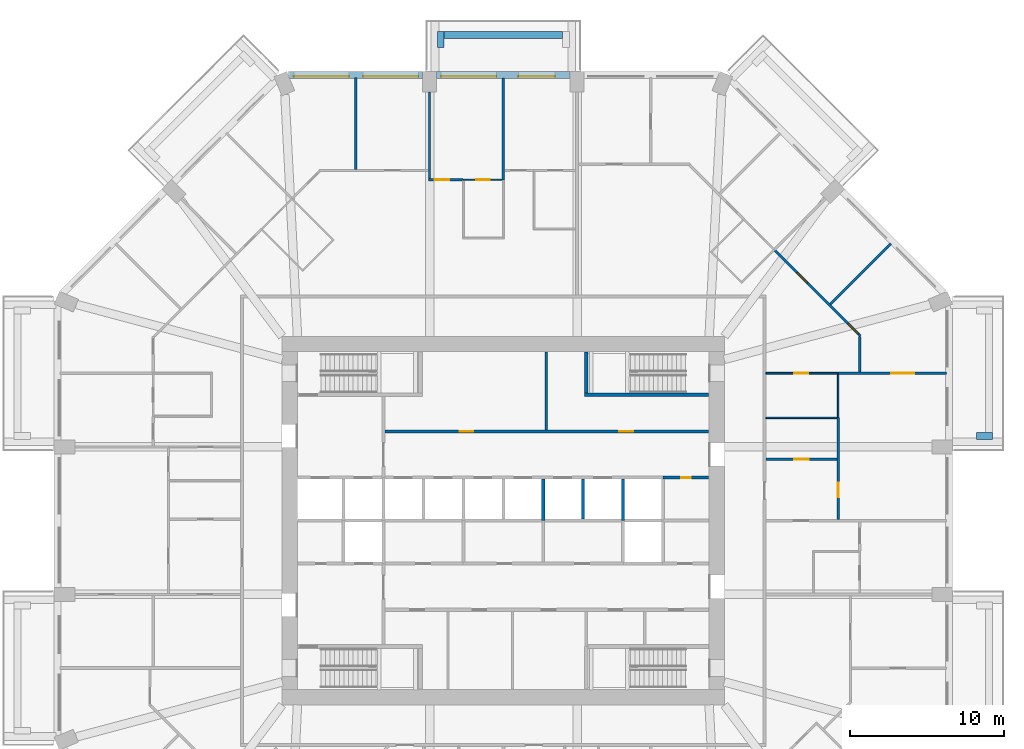
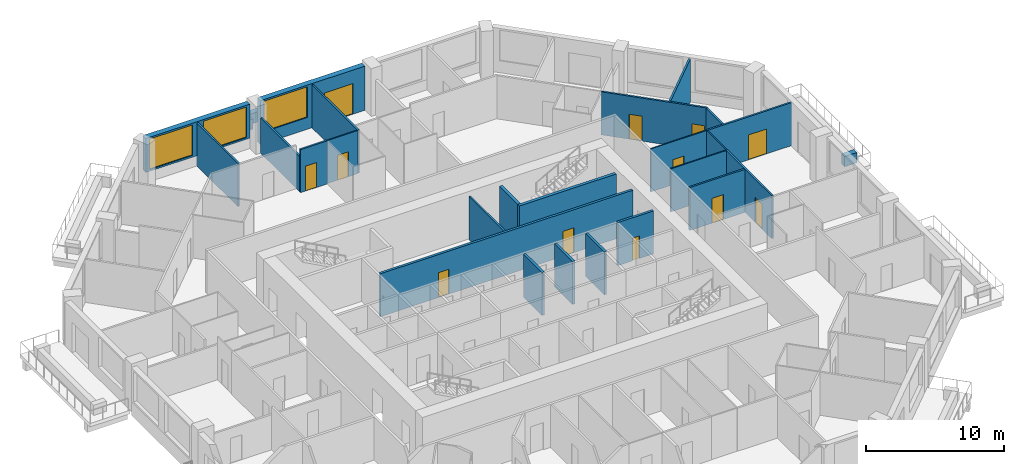
# One storey, part 9 of 13: 27 walls, 12 doors, 3 windows, 15 openings.
"""IFC4 building model written with IfcOpenShell, lengths in metres."""

from ifc_helpers import new_model, si_unit, direction, frame, frame_2d, origin, place, context, subcontext, project, spatial, rectangle, extrude, material, layer, layer_set, type_object, element, fill, save


model = new_model("IFC4")

# Units and contexts
model_context = context("Model", 3, precision=1e-05, world=origin(), true_north=direction((0.0, 1.0)))
body_context = subcontext(model_context, "Body", "Model", "MODEL_VIEW")
ifc_project = project(units=[si_unit("LENGTHUNIT", "METRE"), si_unit("AREAUNIT", "SQUARE_METRE"), si_unit("VOLUMEUNIT", "CUBIC_METRE"), si_unit("PLANEANGLEUNIT", "RADIAN"), si_unit("MASSUNIT", "GRAM", prefix="KILO")], contexts=[model_context])

# Site, building, storey
site_placement = place(None, origin())
site = spatial("IfcSite", under=ifc_project, at=site_placement, CompositionType="ELEMENT")
building_placement = place(site_placement, origin())
building = spatial("IfcBuilding", under=site, at=building_placement, Name="Msitu Wima Residences", CompositionType="ELEMENT")
storey_placement = place(building_placement, frame((0.0, 0.0, 96.89990234375)))
storey = spatial("IfcBuildingStorey", under=building, at=storey_placement, Name="L22", CompositionType="ELEMENT", Elevation=96.89990234375)

# Walls
ifc_material_1 = material(Name="Facing brick")
ifc_layer_1 = layer(ifc_material_1, 0.06494140625, Name="Facing brick")
ifc_material_2 = material(Name="Concrete C40/50", Category="concrete")
ifc_layer_2 = layer(ifc_material_2, 0.156005859375, Name="Concrete C40/50")
ifc_material_3 = material(Name="Waterproofing membrane")
ifc_layer_3 = layer(ifc_material_3, 0.00390625, Name="Waterproofing membrane")
ifc_material_4 = material(Name="Planting soil and planting")
ifc_layer_4 = layer(ifc_material_4, 0.22509765625, Name="Planting soil and planting")
ifc_layer_set_1 = layer_set([ifc_layer_1, ifc_layer_2, ifc_layer_3, ifc_layer_4], Name="Concrete C40/50")
wall_type_1 = type_object("IfcWallType", Name="Balcony planter PLANTER PL450", PredefinedType="USERDEFINED", material=ifc_layer_set_1)
wall_1_placement = place(storey_placement, frame((30.800048828125, 5.52490234375, 0.0), z_axis=(0.0, 0.0, 1.0), x_axis=(1.0, 0.0, 0.0)))
element("IfcWall", 1, at=wall_1_placement, inside=storey, type_object=wall_type_1, Name="Balcony planter E2 L22", ObjectType="PLANTER", PredefinedType="USERDEFINED", context=body_context, shape_type="SweptSolid", body=[
    extrude(rectangle(XDim=1.050048828125, YDim=0.449951171875, at=frame_2d((0.52490234375, 0.0))), origin(), (0.0, 0.0, 1.0), 0.900146484375),
])
wall_2_placement = place(storey_placement, frame((3.85009765625, 31.625, 0.0), z_axis=(0.0, 0.0, 1.0), x_axis=(-1.0, 0.0, 0.0)))
element("IfcWall", 2, at=wall_2_placement, inside=storey, type_object=wall_type_1, Name="Balcony planter N1 L22", ObjectType="PLANTER", PredefinedType="USERDEFINED", context=body_context, shape_type="SweptSolid", body=[
    extrude(rectangle(XDim=7.7001953125, YDim=0.449951171875, at=frame_2d((3.85009765625, 0.0))), origin(), (0.0, 0.0, 1.0), 0.900146484375),
])
wall_3_placement = place(storey_placement, frame((-4.074951171875, 30.800048828125, 0.0), z_axis=(0.0, 0.0, 1.0), x_axis=(0.0, 1.0, 0.0)))
element("IfcWall", 3, at=wall_3_placement, inside=storey, type_object=wall_type_1, Name="Balcony planter N1 L22", ObjectType="PLANTER", PredefinedType="USERDEFINED", context=body_context, shape_type="SweptSolid", body=[
    extrude(rectangle(XDim=1.050048828125, YDim=0.449951171875, at=frame_2d((0.52490234375, 0.0))), origin(), (0.0, 0.0, 1.0), 0.900146484375),
])

# Wall, openings, door, window
ifc_material_5 = material(Name="Brick (red buff mix)", Category="masonry")
ifc_layer_5 = layer(ifc_material_5, 0.449951171875)
ifc_layer_set_2 = layer_set([ifc_layer_5], Name="Brick (red buff mix)")
wall_type_2 = type_object("IfcWallType", Name="Brick infill wall BW450", PredefinedType="SOLIDWALL", material=ifc_layer_set_2)
wall_4_placement = place(storey_placement, frame((4.35009765625, 29.02490234375, 0.0), z_axis=(0.0, 0.0, 1.0), x_axis=(-1.0, 0.0, 0.0)))
wall_4 = element("IfcWall", 4, at=wall_4_placement, inside=storey, type_object=wall_type_2, Name="Brick infill wall L22 N1", PredefinedType="SOLIDWALL", context=body_context, shape_type="SweptSolid", body=[
    extrude(rectangle(XDim=8.7001953125, YDim=0.449951171875, at=frame_2d((4.35009765625, 0.0))), origin(), (0.0, 0.0, 1.0), 3.900146484375),
])
opening_1_placement = place(wall_4_placement, frame((0.97509765625, 0.0, 0.0)))
opening_1 = element("IfcOpeningElement", 5, at=opening_1_placement, cuts=wall_4, Name="Opening D22.003", PredefinedType="OPENING", context=body_context, shape_type="SweptSolid", body=[
    extrude(rectangle(XDim=2.39990234375, YDim=2.699951171875, at=frame_2d((1.199951171875, 1.35009765625))), frame((0.0, 0.23486328125, 0.0), z_axis=(0.0, -1.0, 0.0), x_axis=(1.0, 0.0, 0.0)), (0.0, 0.0, 1.0), 0.469970703125),
])
opening_2_placement = place(wall_4_placement, frame((4.800048828125, 0.0, 1.050048828125)))
opening_2 = element("IfcOpeningElement", 6, at=opening_2_placement, cuts=wall_4, Name="Opening W22.007", PredefinedType="OPENING", context=body_context, shape_type="SweptSolid", body=[
    extrude(rectangle(XDim=3.60009765625, YDim=2.699951171875, at=frame_2d((1.800048828125, 1.35009765625))), frame((0.0, 0.23486328125, 0.0), z_axis=(0.0, -1.0, 0.0), x_axis=(1.0, 0.0, 0.0)), (0.0, 0.0, 1.0), 0.469970703125),
])
ifc_material_6 = material(Name="Anodised aluminium, bronze finish, clear low-emissivity double glazing", Category="aluminium")
door_type_1 = type_object("IfcDoorType", Name="Balcony door D2400x2700", OperationType="SLIDING_TO_LEFT", PredefinedType="DOOR", material=ifc_material_6)
door_1_placement = place(opening_1_placement, origin())
door_1 = element("IfcDoor", 7, at=door_1_placement, inside=storey, type_object=door_type_1, Name="Balcony door L22 N1", OperationType="SINGLE_SWING_LEFT", OverallHeight=2.699951171875, OverallWidth=2.39990234375, PredefinedType="DOOR", context=body_context, shape_type="SweptSolid", body=[
    extrude(rectangle(XDim=2.39990234375, YDim=2.699951171875, at=frame_2d((1.199951171875, 1.35009765625))), frame((0.0, 0.1298828125, 0.0), z_axis=(0.0, -1.0, 0.0), x_axis=(1.0, 0.0, 0.0)), (0.0, 0.0, 1.0), 0.050048828125),
])
fill(opening_1, door_1)
window_type = type_object("IfcWindowType", Name="Window W3600x2700", PartitioningType="DOUBLE_PANEL_VERTICAL", PredefinedType="WINDOW", material=ifc_material_6)
window_1_placement = place(opening_2_placement, origin())
window_1 = element("IfcWindow", 8, at=window_1_placement, inside=storey, type_object=window_type, Name="Window L22 N1.2", OverallHeight=2.699951171875, OverallWidth=3.60009765625, PartitioningType="SINGLE_PANEL", PredefinedType="WINDOW", context=body_context, shape_type="SweptSolid", body=[
    extrude(rectangle(XDim=3.60009765625, YDim=2.699951171875, at=frame_2d((1.800048828125, 1.35009765625))), frame((0.0, 0.135009765625, 0.0), z_axis=(0.0, -1.0, 0.0), x_axis=(1.0, 0.0, 0.0)), (0.0, 0.0, 1.0), 0.06005859375),
])
fill(opening_2, window_1)

# Wall, openings, windows
wall_5_placement = place(storey_placement, frame((-5.25, 29.02490234375, 0.900146484375), z_axis=(0.0, 0.0, 1.0), x_axis=(-1.0, 0.0, 0.0)))
wall_5 = element("IfcWall", 9, at=wall_5_placement, inside=storey, type_object=wall_type_2, Name="Brick infill wall L22 N2", PredefinedType="SOLIDWALL", context=body_context, shape_type="SweptSolid", body=[
    extrude(rectangle(XDim=8.662841796875, YDim=0.449951171875, at=frame_2d((4.33154296875, 0.0))), origin(), (0.0, 0.0, 1.0), 3.0),
])
opening_3_placement = place(wall_5_placement, frame((0.281494140625, 0.0, 0.14990234375)))
opening_3 = element("IfcOpeningElement", 10, at=opening_3_placement, cuts=wall_5, Name="Opening W22.008", PredefinedType="OPENING", context=body_context, shape_type="SweptSolid", body=[
    extrude(rectangle(XDim=3.60009765625, YDim=2.699951171875, at=frame_2d((1.800048828125, 1.35009765625))), frame((0.0, 0.23486328125, 0.0), z_axis=(0.0, -1.0, 0.0), x_axis=(1.0, 0.0, 0.0)), (0.0, 0.0, 1.0), 0.469970703125),
])
opening_4_placement = place(wall_5_placement, frame((4.781494140625, 0.0, 0.14990234375)))
opening_4 = element("IfcOpeningElement", 11, at=opening_4_placement, cuts=wall_5, Name="Opening W22.009", PredefinedType="OPENING", context=body_context, shape_type="SweptSolid", body=[
    extrude(rectangle(XDim=3.60009765625, YDim=2.699951171875, at=frame_2d((1.800048828125, 1.35009765625))), frame((0.0, 0.23486328125, 0.0), z_axis=(0.0, -1.0, 0.0), x_axis=(1.0, 0.0, 0.0)), (0.0, 0.0, 1.0), 0.469970703125),
])
window_2_placement = place(opening_3_placement, origin())
window_2 = element("IfcWindow", 12, at=window_2_placement, inside=storey, type_object=window_type, Name="Window L22 N2.1", OverallHeight=2.699951171875, OverallWidth=3.60009765625, PartitioningType="SINGLE_PANEL", PredefinedType="WINDOW", context=body_context, shape_type="SweptSolid", body=[
    extrude(rectangle(XDim=3.60009765625, YDim=2.699951171875, at=frame_2d((1.800048828125, 1.35009765625))), frame((0.0, 0.135009765625, 0.0), z_axis=(0.0, -1.0, 0.0), x_axis=(1.0, 0.0, 0.0)), (0.0, 0.0, 1.0), 0.06005859375),
])
fill(opening_3, window_2)
window_3_placement = place(opening_4_placement, origin())
window_3 = element("IfcWindow", 13, at=window_3_placement, inside=storey, type_object=window_type, Name="Window L22 N2.2", OverallHeight=2.699951171875, OverallWidth=3.60009765625, PartitioningType="SINGLE_PANEL", PredefinedType="WINDOW", context=body_context, shape_type="SweptSolid", body=[
    extrude(rectangle(XDim=3.60009765625, YDim=2.699951171875, at=frame_2d((1.800048828125, 1.35009765625))), frame((0.0, 0.135009765625, 0.0), z_axis=(0.0, -1.0, 0.0), x_axis=(1.0, 0.0, 0.0)), (0.0, 0.0, 1.0), 0.06005859375),
])
fill(opening_4, window_3)

# Wall, openings, doors
ifc_material_7 = material(Name="Plaster")
ifc_layer_6 = layer(ifc_material_7, 0.011962890625, Name="Plaster")
ifc_material_8 = material(Name="Concrete blockwork", Category="masonry")
ifc_layer_7 = layer(ifc_material_8, 0.176025390625, Name="Concrete blockwork")
ifc_layer_8 = layer(ifc_material_7, 0.011962890625, Name="Plaster")
ifc_layer_set_3 = layer_set([ifc_layer_6, ifc_layer_7, ifc_layer_8], Name="Concrete blockwork")
wall_type_3 = type_object("IfcWallType", Name="Corridor wall FW200", PredefinedType="PARTITIONING", material=ifc_layer_set_3)
wall_6_placement = place(storey_placement, frame((-7.699951171875, 5.800048828125, 0.0), z_axis=(0.0, 0.0, 1.0), x_axis=(1.0, 0.0, 0.0)))
wall_6 = element("IfcWall", 14, at=wall_6_placement, inside=storey, type_object=wall_type_3, Name="Corridor wall", PredefinedType="PARTITIONING", context=body_context, shape_type="SweptSolid", body=[
    extrude(rectangle(XDim=21.070068359375, YDim=0.199951171875, at=frame_2d((10.53515625, 0.0))), origin(), (0.0, 0.0, 1.0), 3.798095703125),
])
opening_5_placement = place(wall_6_placement, frame((4.85009765625, 0.0, 0.0)))
opening_5 = element("IfcOpeningElement", 15, at=opening_5_placement, cuts=wall_6, Name="Opening D22.020", PredefinedType="OPENING", context=body_context, shape_type="SweptSolid", body=[
    extrude(rectangle(XDim=0.89990234375, YDim=2.199951171875, at=frame_2d((0.449951171875, 1.10009765625))), frame((0.0, 0.10986328125, 0.0), z_axis=(0.0, -1.0, 0.0), x_axis=(1.0, 0.0, 0.0)), (0.0, 0.0, 1.0), 0.219970703125),
])
opening_6_placement = place(wall_6_placement, frame((15.25, 0.0, 0.0)))
opening_6 = element("IfcOpeningElement", 16, at=opening_6_placement, cuts=wall_6, Name="Opening D22.021", PredefinedType="OPENING", context=body_context, shape_type="SweptSolid", body=[
    extrude(rectangle(XDim=0.89990234375, YDim=2.199951171875, at=frame_2d((0.449951171875, 1.10009765625))), frame((0.0, 0.10986328125, 0.0), z_axis=(0.0, -1.0, 0.0), x_axis=(1.0, 0.0, 0.0)), (0.0, 0.0, 1.0), 0.219970703125),
])
ifc_material_9 = material(Name="Timber flush door", Category="wood")
door_type_2 = type_object("IfcDoorType", Name="Service door D05 900x2200", OperationType="SINGLE_SWING_LEFT", PredefinedType="DOOR", material=ifc_material_9)
door_2_placement = place(opening_5_placement, origin())
door_2 = element("IfcDoor", 17, at=door_2_placement, inside=storey, type_object=door_type_2, Name="Service door", OperationType="SINGLE_SWING_LEFT", OverallHeight=2.199951171875, OverallWidth=0.89990234375, PredefinedType="DOOR", context=body_context, shape_type="SweptSolid", body=[
    extrude(rectangle(XDim=0.89990234375, YDim=2.199951171875, at=frame_2d((0.449951171875, 1.10009765625))), frame((0.0, 0.02490234375, 0.0), z_axis=(0.0, -1.0, 0.0), x_axis=(1.0, 0.0, 0.0)), (0.0, 0.0, 1.0), 0.050048828125),
])
fill(opening_5, door_2)
door_3_placement = place(opening_6_placement, origin())
door_3 = element("IfcDoor", 18, at=door_3_placement, inside=storey, type_object=door_type_2, Name="Service door", OperationType="SINGLE_SWING_RIGHT", OverallHeight=2.199951171875, OverallWidth=0.89990234375, PredefinedType="DOOR", context=body_context, shape_type="SweptSolid", body=[
    extrude(rectangle(XDim=0.89990234375, YDim=2.199951171875, at=frame_2d((0.449951171875, 1.10009765625))), frame((0.0, 0.02490234375, 0.0), z_axis=(0.0, -1.0, 0.0), x_axis=(1.0, 0.0, 0.0)), (0.0, 0.0, 1.0), 0.050048828125),
])
fill(opening_6, door_3)

# Walls
ifc_layer_9 = layer(ifc_material_7, 0.011962890625, Name="Plaster")
ifc_layer_10 = layer(ifc_material_8, 0.1259765625, Name="Concrete blockwork")
ifc_layer_11 = layer(ifc_material_7, 0.011962890625, Name="Plaster")
ifc_layer_set_4 = layer_set([ifc_layer_9, ifc_layer_10, ifc_layer_11], Name="Concrete blockwork")
wall_type_4 = type_object("IfcWallType", Name="Partition PW150", PredefinedType="PARTITIONING", material=ifc_layer_set_4)
wall_7_placement = place(storey_placement, frame((-9.60009765625, 22.875, 0.0), z_axis=(0.0, 0.0, 1.0), x_axis=(0.0, 1.0, 0.0)))
element("IfcWall", 19, at=wall_7_placement, inside=storey, type_object=wall_type_4, Name="Partition", PredefinedType="PARTITIONING", context=body_context, shape_type="SweptSolid", body=[
    extrude(rectangle(XDim=5.97998046875, YDim=0.14990234375, at=frame_2d((2.989990234375, 0.0))), origin(), (0.0, 0.0, 1.0), 3.798095703125),
])
wall_8_placement = place(storey_placement, frame((-4.800048828125, 22.27490234375, 0.0), z_axis=(0.0, 0.0, 1.0), x_axis=(0.0, 1.0, 0.0)))
element("IfcWall", 20, at=wall_8_placement, inside=storey, type_object=wall_type_4, Name="Partition", PredefinedType="PARTITIONING", context=body_context, shape_type="SweptSolid", body=[
    extrude(rectangle(XDim=5.625, YDim=0.14990234375, at=frame_2d((2.8125, 0.0))), origin(), (0.0, 0.0, 1.0), 3.10009765625),
])

# Wall, opening, door
wall_9_placement = place(storey_placement, frame((-4.875, 22.199951171875, 0.0), z_axis=(0.0, 0.0, 1.0), x_axis=(1.0, 0.0, 0.0)))
wall_9 = element("IfcWall", 21, at=wall_9_placement, inside=storey, type_object=wall_type_4, Name="Partition", PredefinedType="PARTITIONING", context=body_context, shape_type="SweptSolid", body=[
    extrude(rectangle(XDim=2.2548828125, YDim=0.14990234375, at=frame_2d((1.12744140625, 0.0))), origin(), (0.0, 0.0, 1.0), 3.798095703125),
])
opening_7_placement = place(wall_9_placement, frame((0.39990234375, 0.0, 0.0)))
opening_7 = element("IfcOpeningElement", 22, at=opening_7_placement, cuts=wall_9, Name="Opening D22.060", PredefinedType="OPENING", context=body_context, shape_type="SweptSolid", body=[
    extrude(rectangle(XDim=0.949951171875, YDim=2.199951171875, at=frame_2d((0.47509765625, 1.10009765625))), frame((0.0, 0.0849609375, 0.0), z_axis=(0.0, -1.0, 0.0), x_axis=(1.0, 0.0, 0.0)), (0.0, 0.0, 1.0), 0.169921875),
])
door_type_3 = type_object("IfcDoorType", Name="Room door D12 950x2200", OperationType="SINGLE_SWING_LEFT", PredefinedType="DOOR", material=ifc_material_9)
door_4_placement = place(opening_7_placement, origin())
door_4 = element("IfcDoor", 23, at=door_4_placement, inside=storey, type_object=door_type_3, Name="Room door", OperationType="SINGLE_SWING_LEFT", OverallHeight=2.199951171875, OverallWidth=0.949951171875, PredefinedType="DOOR", context=body_context, shape_type="SweptSolid", body=[
    extrude(rectangle(XDim=0.949951171875, YDim=2.199951171875, at=frame_2d((0.47509765625, 1.10009765625))), frame((0.0, 0.02490234375, 0.0), z_axis=(0.0, -1.0, 0.0), x_axis=(1.0, 0.0, 0.0)), (0.0, 0.0, 1.0), 0.050048828125),
])
fill(opening_7, door_4)

# Walls
wall_10_placement = place(storey_placement, frame((0.0, 22.179931640625, 0.0), z_axis=(0.0, 0.0, 1.0), x_axis=(0.0, 1.0, 0.0)))
element("IfcWall", 24, at=wall_10_placement, inside=storey, type_object=wall_type_4, Name="Partition", PredefinedType="PARTITIONING", context=body_context, shape_type="SweptSolid", body=[
    extrude(rectangle(XDim=6.64501953125, YDim=0.14990234375, at=frame_2d((3.322509765625, 0.0))), origin(), (0.0, 0.0, 1.0), 3.798095703125),
])
wall_11_placement = place(storey_placement, frame((2.800048828125, 5.89990234375, 0.0), z_axis=(0.0, 0.0, 1.0), x_axis=(0.0, 1.0, 0.0)))
element("IfcWall", 25, at=wall_11_placement, inside=storey, type_object=wall_type_4, Name="Partition", PredefinedType="PARTITIONING", context=body_context, shape_type="SweptSolid", body=[
    extrude(rectangle(XDim=5.070068359375, YDim=0.14990234375, at=frame_2d((2.53515625, 0.0))), origin(), (0.0, 0.0, 1.0), 3.798095703125),
])

# Wall, opening, door
wall_12_placement = place(storey_placement, frame((17.10009765625, 4.0, 0.0), z_axis=(0.0, 0.0, 1.0), x_axis=(1.0, 0.0, 0.0)))
wall_12 = element("IfcWall", 26, at=wall_12_placement, inside=storey, type_object=wall_type_4, Name="Partition", PredefinedType="PARTITIONING", context=body_context, shape_type="SweptSolid", body=[
    extrude(rectangle(XDim=4.625, YDim=0.14990234375, at=frame_2d((2.3125, 0.0))), origin(), (0.0, 0.0, 1.0), 3.798095703125),
])
opening_8_placement = place(wall_12_placement, frame((1.85009765625, 0.0, 0.0)))
opening_8 = element("IfcOpeningElement", 27, at=opening_8_placement, cuts=wall_12, Name="Opening D22.086", PredefinedType="OPENING", context=body_context, shape_type="SweptSolid", body=[
    extrude(rectangle(XDim=0.949951171875, YDim=2.199951171875, at=frame_2d((0.47509765625, 1.10009765625))), frame((0.0, 0.0849609375, 0.0), z_axis=(0.0, -1.0, 0.0), x_axis=(1.0, 0.0, 0.0)), (0.0, 0.0, 1.0), 0.169921875),
])
door_5_placement = place(opening_8_placement, origin())
door_5 = element("IfcDoor", 28, at=door_5_placement, inside=storey, type_object=door_type_3, Name="Room door", OperationType="SINGLE_SWING_RIGHT", OverallHeight=2.199951171875, OverallWidth=0.949951171875, PredefinedType="DOOR", context=body_context, shape_type="SweptSolid", body=[
    extrude(rectangle(XDim=0.949951171875, YDim=2.199951171875, at=frame_2d((0.47509765625, 1.10009765625))), frame((0.0, 0.02490234375, 0.0), z_axis=(0.0, -1.0, 0.0), x_axis=(1.0, 0.0, 0.0)), (0.0, 0.0, 1.0), 0.050048828125),
])
fill(opening_8, door_5)

# Wall, openings, doors
wall_13_placement = place(storey_placement, frame((17.64013671875, 17.64013671875, 0.0), z_axis=(0.0, 0.0, 1.0), x_axis=(0.707106781187, -0.707106781187, 0.0)))
wall_13 = element("IfcWall", 29, at=wall_13_placement, inside=storey, type_object=wall_type_4, Name="Partition", PredefinedType="PARTITIONING", context=body_context, shape_type="SweptSolid", body=[
    extrude(rectangle(XDim=7.937744140625, YDim=0.14990234375, at=frame_2d((3.96875, 0.0))), origin(), (0.0, 0.0, 1.0), 3.798095703125),
])
opening_9_placement = place(wall_13_placement, frame((6.800048828125, 0.0, 0.0)))
opening_9 = element("IfcOpeningElement", 30, at=opening_9_placement, cuts=wall_13, Name="Opening D22.087", PredefinedType="OPENING", context=body_context, shape_type="SweptSolid", body=[
    extrude(rectangle(XDim=0.949951171875, YDim=2.199951171875, at=frame_2d((0.47509765625, 1.10009765625))), frame((0.0, 0.0849609375, 0.0), z_axis=(0.0, -1.0, 0.0), x_axis=(1.0, 0.0, 0.0)), (0.0, 0.0, 1.0), 0.169921875),
])
opening_10_placement = place(wall_13_placement, frame((2.10009765625, 0.0, 0.0)))
opening_10 = element("IfcOpeningElement", 31, at=opening_10_placement, cuts=wall_13, Name="Opening D22.088", PredefinedType="OPENING", context=body_context, shape_type="SweptSolid", body=[
    extrude(rectangle(XDim=0.949951171875, YDim=2.199951171875, at=frame_2d((0.47509765625, 1.10009765625))), frame((0.0, 0.0849609375, 0.0), z_axis=(0.0, -1.0, 0.0), x_axis=(1.0, 0.0, 0.0)), (0.0, 0.0, 1.0), 0.169921875),
])
door_6_placement = place(opening_9_placement, origin())
door_6 = element("IfcDoor", 32, at=door_6_placement, inside=storey, type_object=door_type_3, Name="Room door", OperationType="SINGLE_SWING_LEFT", OverallHeight=2.199951171875, OverallWidth=0.949951171875, PredefinedType="DOOR", context=body_context, shape_type="SweptSolid", body=[
    extrude(rectangle(XDim=0.949951171875, YDim=2.199951171875, at=frame_2d((0.47509765625, 1.10009765625))), frame((0.0, 0.02490234375, 0.0), z_axis=(0.0, -1.0, 0.0), x_axis=(1.0, 0.0, 0.0)), (0.0, 0.0, 1.0), 0.050048828125),
])
fill(opening_9, door_6)
door_7_placement = place(opening_10_placement, origin())
door_7 = element("IfcDoor", 33, at=door_7_placement, inside=storey, type_object=door_type_3, Name="Room door", OperationType="SINGLE_SWING_RIGHT", OverallHeight=2.199951171875, OverallWidth=0.949951171875, PredefinedType="DOOR", context=body_context, shape_type="SweptSolid", body=[
    extrude(rectangle(XDim=0.949951171875, YDim=2.199951171875, at=frame_2d((0.47509765625, 1.10009765625))), frame((0.0, 0.02490234375, 0.0), z_axis=(0.0, -1.0, 0.0), x_axis=(1.0, 0.0, 0.0)), (0.0, 0.0, 1.0), 0.050048828125),
])
fill(opening_10, door_7)

# Wall
wall_14_placement = place(storey_placement, frame((21.293212890625, 14.09326171875, 0.0), z_axis=(0.0, 0.0, 1.0), x_axis=(0.707106781187, 0.707106781187, 0.0)))
element("IfcWall", 34, at=wall_14_placement, inside=storey, type_object=wall_type_4, Name="Partition", PredefinedType="PARTITIONING", context=body_context, shape_type="SweptSolid", body=[
    extrude(rectangle(XDim=5.579833984375, YDim=0.14990234375, at=frame_2d((2.7900390625, 0.0))), origin(), (0.0, 0.0, 1.0), 3.798095703125),
])

# Wall, opening, door
wall_15_placement = place(storey_placement, frame((21.800048828125, 0.074951171875, 0.0), z_axis=(0.0, 0.0, 1.0), x_axis=(0.0, 1.0, 0.0)))
wall_15 = element("IfcWall", 35, at=wall_15_placement, inside=storey, type_object=wall_type_4, Name="Partition", PredefinedType="PARTITIONING", context=body_context, shape_type="SweptSolid", body=[
    extrude(rectangle(XDim=6.64501953125, YDim=0.14990234375, at=frame_2d((3.322509765625, 0.0))), origin(), (0.0, 0.0, 1.0), 3.798095703125),
])
opening_11_placement = place(wall_15_placement, frame((1.449951171875, 0.0, 0.0)))
opening_11 = element("IfcOpeningElement", 36, at=opening_11_placement, cuts=wall_15, Name="Opening D22.051", PredefinedType="OPENING", context=body_context, shape_type="SweptSolid", body=[
    extrude(rectangle(XDim=0.949951171875, YDim=2.199951171875, at=frame_2d((0.47509765625, 1.10009765625))), frame((0.0, 0.0849609375, 0.0), z_axis=(0.0, -1.0, 0.0), x_axis=(1.0, 0.0, 0.0)), (0.0, 0.0, 1.0), 0.169921875),
])
door_8_placement = place(opening_11_placement, origin())
door_8 = element("IfcDoor", 37, at=door_8_placement, inside=storey, type_object=door_type_3, Name="Room door", OperationType="SINGLE_SWING_RIGHT", OverallHeight=2.199951171875, OverallWidth=0.949951171875, PredefinedType="DOOR", context=body_context, shape_type="SweptSolid", body=[
    extrude(rectangle(XDim=0.949951171875, YDim=2.199951171875, at=frame_2d((0.47509765625, 1.10009765625))), frame((0.0, 0.02490234375, 0.0), z_axis=(0.0, -1.0, 0.0), x_axis=(1.0, 0.0, 0.0)), (0.0, 0.0, 1.0), 0.050048828125),
])
fill(opening_11, door_8)

wall_16_placement = place(storey_placement, frame((21.800048828125, 9.60009765625, 0.0), z_axis=(0.0, 0.0, 1.0), x_axis=(1.0, 0.0, 0.0)))
wall_16 = element("IfcWall", 38, at=wall_16_placement, inside=storey, type_object=wall_type_4, Name="Partition", PredefinedType="PARTITIONING", context=body_context, shape_type="SweptSolid", body=[
    extrude(rectangle(XDim=7.054931640625, YDim=0.14990234375, at=frame_2d((3.52734375, 0.0))), origin(), (0.0, 0.0, 1.0), 3.798095703125),
])
opening_12_placement = place(wall_16_placement, frame((3.449951171875, 0.0, 0.0)))
opening_12 = element("IfcOpeningElement", 39, at=opening_12_placement, cuts=wall_16, Name="Opening D22.062", PredefinedType="OPENING", context=body_context, shape_type="SweptSolid", body=[
    extrude(rectangle(XDim=1.5, YDim=2.199951171875, at=frame_2d((0.75, 1.10009765625))), frame((0.0, 0.0849609375, 0.0), z_axis=(0.0, -1.0, 0.0), x_axis=(1.0, 0.0, 0.0)), (0.0, 0.0, 1.0), 0.169921875),
])
ifc_material_10 = material(Name="Timber double door", Category="wood")
door_type_4 = type_object("IfcDoorType", Name="Double door D04 1500x2200", OperationType="DOUBLE_DOOR_SINGLE_SWING", PredefinedType="DOOR", material=ifc_material_10)
door_9_placement = place(opening_12_placement, origin())
door_9 = element("IfcDoor", 40, at=door_9_placement, inside=storey, type_object=door_type_4, Name="Double door", OperationType="DOUBLE_DOOR_SINGLE_SWING", OverallHeight=2.199951171875, OverallWidth=1.5, PredefinedType="DOOR", context=body_context, shape_type="SweptSolid", body=[
    extrude(rectangle(XDim=1.5, YDim=2.199951171875, at=frame_2d((0.75, 1.10009765625))), frame((0.0, 0.02490234375, 0.0), z_axis=(0.0, -1.0, 0.0), x_axis=(1.0, 0.0, 0.0)), (0.0, 0.0, 1.0), 0.050048828125),
])
fill(opening_12, door_9)

# Wall
wall_17_placement = place(storey_placement, frame((23.199951171875, 9.675048828125, 0.0), z_axis=(0.0, 0.0, 1.0), x_axis=(0.0, 1.0, 0.0)))
element("IfcWall", 41, at=wall_17_placement, inside=storey, type_object=wall_type_4, Name="Partition", PredefinedType="PARTITIONING", context=body_context, shape_type="SweptSolid", body=[
    extrude(rectangle(XDim=2.330322265625, YDim=0.14990234375, at=frame_2d((1.1650390625, 0.0))), origin(), (0.0, 0.0, 1.0), 3.798095703125),
])

# Wall, opening, door
ifc_layer_12 = layer(ifc_material_7, 0.011962890625, Name="Plaster")
ifc_material_11 = material(Name="Reinforced concrete blockwork", Category="masonry")
ifc_layer_13 = layer(ifc_material_11, 0.176025390625, Name="Reinforced concrete blockwork")
ifc_layer_14 = layer(ifc_material_7, 0.011962890625, Name="Plaster")
ifc_layer_set_5 = layer_set([ifc_layer_12, ifc_layer_13, ifc_layer_14], Name="Reinforced concrete blockwork")
wall_type_5 = type_object("IfcWallType", Name="Plant and riser wall PL200", PredefinedType="PARTITIONING", material=ifc_layer_set_5)
wall_18_placement = place(storey_placement, frame((10.39990234375, 2.800048828125, 0.0), z_axis=(0.0, 0.0, 1.0), x_axis=(1.0, 0.0, 0.0)))
wall_18 = element("IfcWall", 42, at=wall_18_placement, inside=storey, type_object=wall_type_5, Name="Plant and riser wall", PredefinedType="PARTITIONING", context=body_context, shape_type="SweptSolid", body=[
    extrude(rectangle(XDim=2.97021484375, YDim=0.199951171875, at=frame_2d((1.485107421875, 0.0))), origin(), (0.0, 0.0, 1.0), 3.798095703125),
])
opening_13_placement = place(wall_18_placement, frame((1.199951171875, 0.0, 0.0)))
opening_13 = element("IfcOpeningElement", 43, at=opening_13_placement, cuts=wall_18, Name="Opening D22.029", PredefinedType="OPENING", context=body_context, shape_type="SweptSolid", body=[
    extrude(rectangle(XDim=0.60009765625, YDim=2.0, at=frame_2d((0.300048828125, 1.0))), frame((0.0, 0.10986328125, 0.0), z_axis=(0.0, -1.0, 0.0), x_axis=(1.0, 0.0, 0.0)), (0.0, 0.0, 1.0), 0.219970703125),
])
ifc_material_12 = material(Name="Steel access door, fire resisting", Category="steel")
door_type_5 = type_object("IfcDoorType", Name="Riser access door D08 600x2000", OperationType="SINGLE_SWING_LEFT", PredefinedType="DOOR", material=ifc_material_12)
door_10_placement = place(opening_13_placement, origin())
door_10 = element("IfcDoor", 44, at=door_10_placement, inside=storey, type_object=door_type_5, Name="Riser access door", OperationType="SINGLE_SWING_RIGHT", OverallHeight=2.0, OverallWidth=0.60009765625, PredefinedType="DOOR", context=body_context, shape_type="SweptSolid", body=[
    extrude(rectangle(XDim=0.60009765625, YDim=2.0, at=frame_2d((0.300048828125, 1.0))), frame((0.0, 0.02490234375, 0.0), z_axis=(0.0, -1.0, 0.0), x_axis=(1.0, 0.0, 0.0)), (0.0, 0.0, 1.0), 0.050048828125),
])
fill(opening_13, door_10)

# Walls
ifc_material_13 = material(Name="Fire-rated board")
ifc_layer_15 = layer(ifc_material_13, 0.02490234375, Name="Fire-rated board")
ifc_material_14 = material(Name="Light-gauge stud framing with mineral wool")
ifc_layer_16 = layer(ifc_material_14, 0.14990234375, Name="Light-gauge stud framing with mineral wool")
ifc_layer_17 = layer(ifc_material_13, 0.02490234375, Name="Fire-rated board")
ifc_layer_set_6 = layer_set([ifc_layer_15, ifc_layer_16, ifc_layer_17], Name="Light-gauge stud framing with mineral wool")
wall_type_6 = type_object("IfcWallType", Name="Shaft wall SH200", PredefinedType="PARTITIONING", material=ifc_layer_set_6)
wall_19_placement = place(storey_placement, frame((2.60009765625, 0.0, 0.0), z_axis=(0.0, 0.0, 1.0), x_axis=(0.0, 1.0, 0.0)))
element("IfcWall", 45, at=wall_19_placement, inside=storey, type_object=wall_type_6, Name="Shaft wall", PredefinedType="PARTITIONING", context=body_context, shape_type="SweptSolid", body=[
    extrude(rectangle(XDim=2.699951171875, YDim=0.199951171875, at=frame_2d((1.35009765625, 0.0))), origin(), (0.0, 0.0, 1.0), 3.798095703125),
])
wall_20_placement = place(storey_placement, frame((5.199951171875, 0.10009765625, 0.0), z_axis=(0.0, 0.0, 1.0), x_axis=(0.0, 1.0, 0.0)))
element("IfcWall", 46, at=wall_20_placement, inside=storey, type_object=wall_type_6, Name="Shaft wall", PredefinedType="PARTITIONING", context=body_context, shape_type="SweptSolid", body=[
    extrude(rectangle(XDim=2.599853515625, YDim=0.199951171875, at=frame_2d((1.2998046875, 0.0))), origin(), (0.0, 0.0, 1.0), 3.798095703125),
])
wall_21_placement = place(storey_placement, frame((7.800048828125, 0.0, 0.0), z_axis=(0.0, 0.0, 1.0), x_axis=(0.0, 1.0, 0.0)))
element("IfcWall", 47, at=wall_21_placement, inside=storey, type_object=wall_type_6, Name="Shaft wall", PredefinedType="PARTITIONING", context=body_context, shape_type="SweptSolid", body=[
    extrude(rectangle(XDim=2.699951171875, YDim=0.199951171875, at=frame_2d((1.35009765625, 0.0))), origin(), (0.0, 0.0, 1.0), 3.798095703125),
])
ifc_material_15 = material(Name="Concrete C50/60", Category="concrete")
ifc_layer_18 = layer(ifc_material_15, 0.25)
ifc_layer_set_7 = layer_set([ifc_layer_18], Name="Concrete C50/60")
wall_type_7 = type_object("IfcWallType", Name="Stair enclosure wall SW250", PredefinedType="SHEAR", material=ifc_layer_set_7)
wall_22_placement = place(storey_placement, frame((5.39990234375, 8.324951171875, 0.0), z_axis=(0.0, 0.0, 1.0), x_axis=(0.0, 1.0, 0.0)))
element("IfcWall", 48, at=wall_22_placement, inside=storey, type_object=wall_type_7, Name="Stair enclosure wall", PredefinedType="SHEAR", context=body_context, shape_type="SweptSolid", body=[
    extrude(rectangle(XDim=2.64501953125, YDim=0.25, at=frame_2d((1.322509765625, 0.0))), origin(), (0.0, 0.0, 1.0), 3.798095703125),
])
wall_23_placement = place(storey_placement, frame((5.27490234375, 8.199951171875, 0.0), z_axis=(0.0, 0.0, 1.0), x_axis=(1.0, 0.0, 0.0)))
element("IfcWall", 49, at=wall_23_placement, inside=storey, type_object=wall_type_7, Name="Stair enclosure wall", PredefinedType="SHEAR", context=body_context, shape_type="SweptSolid", body=[
    extrude(rectangle(XDim=8.09521484375, YDim=0.25, at=frame_2d((4.047607421875, 0.0))), origin(), (0.0, 0.0, 1.0), 3.798095703125),
])

# Wall, opening, door
ifc_material_16 = material(Name="Ceramic tiles")
ifc_layer_19 = layer(ifc_material_16, 0.008056640625, Name="Ceramic tiles")
ifc_material_17 = material(Name="Moisture-resistant board")
ifc_layer_20 = layer(ifc_material_17, 0.012451171875, Name="Moisture-resistant board")
ifc_layer_21 = layer(ifc_material_14, 0.06689453125, Name="Light-gauge stud framing with mineral wool")
ifc_layer_22 = layer(ifc_material_17, 0.012451171875, Name="Moisture-resistant board")
ifc_layer_set_8 = layer_set([ifc_layer_19, ifc_layer_20, ifc_layer_21, ifc_layer_22], Name="Light-gauge stud framing with mineral wool")
wall_type_8 = type_object("IfcWallType", Name="Wet wall PW100", PredefinedType="PARTITIONING", material=ifc_layer_set_8)
wall_24_placement = place(storey_placement, frame((-2.6201171875, 22.199951171875, 0.0), z_axis=(0.0, 0.0, 1.0), x_axis=(1.0, 0.0, 0.0)))
wall_24 = element("IfcWall", 50, at=wall_24_placement, inside=storey, type_object=wall_type_8, Name="Wet wall", PredefinedType="PARTITIONING", context=body_context, shape_type="SweptSolid", body=[
    extrude(rectangle(XDim=2.545166015625, YDim=0.10009765625, at=frame_2d((1.2724609375, 0.0))), origin(), (0.0, 0.0, 1.0), 3.798095703125),
])
opening_14_placement = place(wall_24_placement, frame((0.85009765625, 0.0, 0.0)))
opening_14 = element("IfcOpeningElement", 51, at=opening_14_placement, cuts=wall_24, Name="Opening D22.061", PredefinedType="OPENING", context=body_context, shape_type="SweptSolid", body=[
    extrude(rectangle(XDim=0.89990234375, YDim=2.199951171875, at=frame_2d((0.449951171875, 1.10009765625))), frame((0.0, 0.06005859375, 0.0), z_axis=(0.0, -1.0, 0.0), x_axis=(1.0, 0.0, 0.0)), (0.0, 0.0, 1.0), 0.1201171875),
])
ifc_material_18 = material(Name="Timber flush door, moisture resistant", Category="wood")
door_type_6 = type_object("IfcDoorType", Name="Bathroom door D03 900x2200", OperationType="SINGLE_SWING_LEFT", PredefinedType="DOOR", material=ifc_material_18)
door_11_placement = place(opening_14_placement, origin())
door_11 = element("IfcDoor", 52, at=door_11_placement, inside=storey, type_object=door_type_6, Name="Bathroom door", OperationType="SINGLE_SWING_RIGHT", OverallHeight=2.199951171875, OverallWidth=0.89990234375, PredefinedType="DOOR", context=body_context, shape_type="SweptSolid", body=[
    extrude(rectangle(XDim=0.89990234375, YDim=2.199951171875, at=frame_2d((0.449951171875, 1.10009765625))), frame((0.0, 0.02490234375, 0.0), z_axis=(0.0, -1.0, 0.0), x_axis=(1.0, 0.0, 0.0)), (0.0, 0.0, 1.0), 0.050048828125),
])
fill(opening_14, door_11)

# Wall
wall_25_placement = place(storey_placement, frame((17.10009765625, 6.699951171875, 0.0), z_axis=(0.0, 0.0, 1.0), x_axis=(1.0, 0.0, 0.0)))
element("IfcWall", 53, at=wall_25_placement, inside=storey, type_object=wall_type_8, Name="Wet wall", PredefinedType="PARTITIONING", context=body_context, shape_type="SweptSolid", body=[
    extrude(rectangle(XDim=4.625, YDim=0.10009765625, at=frame_2d((2.3125, 0.0))), origin(), (0.0, 0.0, 1.0), 3.798095703125),
])

# Wall, opening, door
wall_26_placement = place(storey_placement, frame((17.10009765625, 9.60009765625, 0.0), z_axis=(0.0, 0.0, 1.0), x_axis=(1.0, 0.0, 0.0)))
wall_26 = element("IfcWall", 54, at=wall_26_placement, inside=storey, type_object=wall_type_8, Name="Wet wall", PredefinedType="PARTITIONING", context=body_context, shape_type="SweptSolid", body=[
    extrude(rectangle(XDim=4.699951171875, YDim=0.10009765625, at=frame_2d((2.35009765625, 0.0))), origin(), (0.0, 0.0, 1.0), 3.798095703125),
])
opening_15_placement = place(wall_26_placement, frame((1.85009765625, 0.0, 0.0)))
opening_15 = element("IfcOpeningElement", 55, at=opening_15_placement, cuts=wall_26, Name="Opening D22.043", PredefinedType="OPENING", context=body_context, shape_type="SweptSolid", body=[
    extrude(rectangle(XDim=0.89990234375, YDim=2.199951171875, at=frame_2d((0.449951171875, 1.10009765625))), frame((0.0, 0.06005859375, 0.0), z_axis=(0.0, -1.0, 0.0), x_axis=(1.0, 0.0, 0.0)), (0.0, 0.0, 1.0), 0.1201171875),
])
door_12_placement = place(opening_15_placement, origin())
door_12 = element("IfcDoor", 56, at=door_12_placement, inside=storey, type_object=door_type_6, Name="Bathroom door", OperationType="SINGLE_SWING_RIGHT", OverallHeight=2.199951171875, OverallWidth=0.89990234375, PredefinedType="DOOR", context=body_context, shape_type="SweptSolid", body=[
    extrude(rectangle(XDim=0.89990234375, YDim=2.199951171875, at=frame_2d((0.449951171875, 1.10009765625))), frame((0.0, 0.02490234375, 0.0), z_axis=(0.0, -1.0, 0.0), x_axis=(1.0, 0.0, 0.0)), (0.0, 0.0, 1.0), 0.050048828125),
])
fill(opening_15, door_12)

# Wall
wall_27_placement = place(storey_placement, frame((21.800048828125, 6.719970703125, 0.0), z_axis=(0.0, 0.0, 1.0), x_axis=(0.0, 1.0, 0.0)))
element("IfcWall", 57, at=wall_27_placement, inside=storey, type_object=wall_type_8, Name="Wet wall", PredefinedType="PARTITIONING", context=body_context, shape_type="SweptSolid", body=[
    extrude(rectangle(XDim=2.804931640625, YDim=0.10009765625, at=frame_2d((1.40234375, 0.0))), origin(), (0.0, 0.0, 1.0), 3.798095703125),
])

save(model, "model.ifc")
